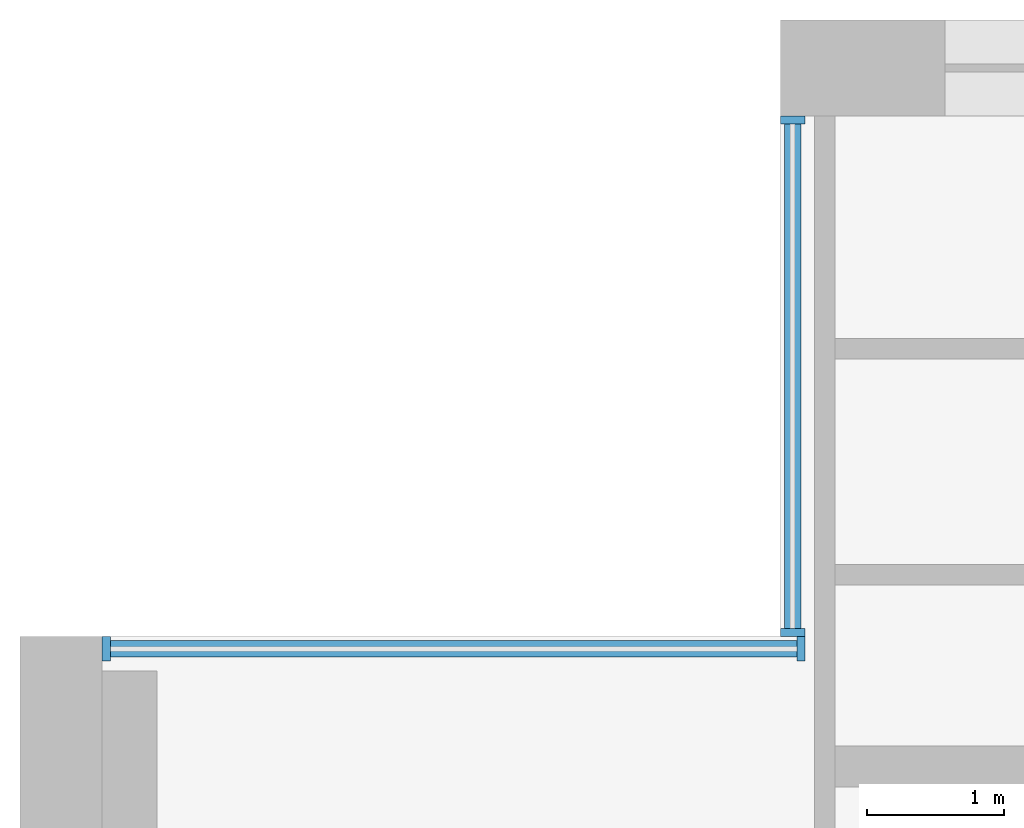
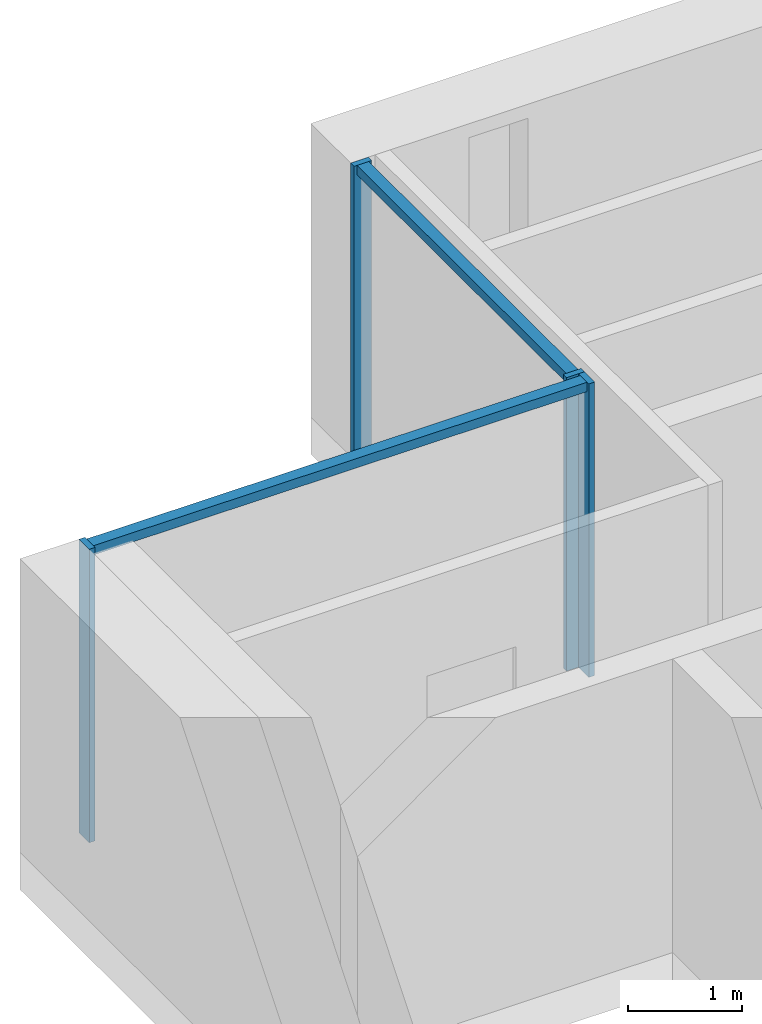
# One storey, part 4 of 16: 6 members, 2 elements without a shape of their own.
"""IFC4 building model written with IfcOpenShell, lengths in metres."""

import ifcopenshell
import ifcopenshell.guid

model = None  # the IFC model being written
_history = None  # IfcOwnerHistory: only IFC2X3 demands one
_inside = {}  # id of a spatial element -> (the spatial element, [elements in it])
_under = {}  # id of a project, library or spatial element -> (it, [spatial elements below it])
_declared = {}  # id of a project -> (the project, [libraries it declares])
_typed = {}  # id of a type object -> (the type object, [elements of that type])
_made_of = {}  # id of a material, layer set ... -> (it, [elements and type objects made of it])


def new_model(schema):
    """Start an empty IFC model of exactly this schema.

    Asked for "IFC4X3", IfcOpenShell would pick the latest addendum, in which some entities
    have other attributes; the version numbers below select the first issue.
    IFC2X3 requires an IfcOwnerHistory on every rooted entity: one is made here for all.
    """
    global model, _history
    if schema == "IFC4X3":
        model = ifcopenshell.file(schema_version=(4, 3, 0, 0))
    else:
        model = ifcopenshell.file(schema=schema)
    _inside.clear()
    _under.clear()
    _declared.clear()
    _typed.clear()
    _made_of.clear()
    _history = None
    if model.schema == "IFC2X3":
        org = make("IfcOrganization", Name="unknown")
        user = make(
            "IfcPersonAndOrganization",
            ThePerson=make("IfcPerson", FamilyName="unknown"),
            TheOrganization=org,
        )
        app = make(
            "IfcApplication",
            ApplicationDeveloper=org,
            Version="unknown",
            ApplicationFullName="unknown",
            ApplicationIdentifier="unknown",
        )
        _history = make(
            "IfcOwnerHistory",
            OwningUser=user,
            OwningApplication=app,
            ChangeAction="ADDED",
            CreationDate=0,
        )
    return model


def make(cls, **values):
    """One entity of the class cls with the attributes given. An attribute that is None is left unset."""
    return model.create_entity(
        cls, **{name: value for name, value in values.items() if value is not None}
    )


def rooted(cls, **values):
    """An entity with a GlobalId (a new one), such as an element, a storey or a relation."""
    return make(cls, GlobalId=ifcopenshell.guid.new(), OwnerHistory=_history, **values)


def si_unit(unit_type, name, prefix=None):
    """IfcSIUnit, for example si_unit("LENGTHUNIT", "METRE", prefix="MILLI")."""
    return make("IfcSIUnit", UnitType=unit_type, Prefix=prefix, Name=name)


def assignment(units):
    """IfcUnitAssignment: the units of a project."""
    return None if units is None else make("IfcUnitAssignment", Units=units)


def point(xyz):
    """IfcCartesianPoint."""
    return None if xyz is None else make("IfcCartesianPoint", Coordinates=xyz)


def direction(xyz):
    """IfcDirection."""
    return None if xyz is None else make("IfcDirection", DirectionRatios=xyz)


def frame(location, z_axis=None, x_axis=None):
    """IfcAxis2Placement3D, a coordinate frame: its origin and axes. An axis left out is left unset."""
    return make(
        "IfcAxis2Placement3D",
        Location=point(location),
        Axis=direction(z_axis),
        RefDirection=direction(x_axis),
    )


def frame_2d(location, x_axis=None):
    """IfcAxis2Placement2D, a coordinate frame in the plane: its origin and x axis."""
    return make(
        "IfcAxis2Placement2D", Location=point(location), RefDirection=direction(x_axis)
    )


def origin():
    """The frame at (0, 0, 0) with its axes left unset."""
    return frame((0.0, 0.0, 0.0))


def origin_2d():
    """The frame at (0, 0) in the plane with its x axis left unset."""
    return frame_2d((0.0, 0.0))


def place(relative_to, where):
    """IfcLocalPlacement: puts the frame where relative to a parent placement (None: the world)."""
    return make(
        "IfcLocalPlacement", PlacementRelTo=relative_to, RelativePlacement=where
    )


def context(
    kind, dimensions, precision=None, world=None, true_north=None, identifier=None
):
    """IfcGeometricRepresentationContext, for example the 3D "Model" context."""
    return make(
        "IfcGeometricRepresentationContext",
        ContextIdentifier=identifier,
        ContextType=kind,
        CoordinateSpaceDimension=dimensions,
        Precision=precision,
        WorldCoordinateSystem=world,
        TrueNorth=true_north,
    )


def subcontext(parent, identifier, kind, view, scale=None):
    """IfcGeometricRepresentationSubContext, for example "Body" below "Model"."""
    return make(
        "IfcGeometricRepresentationSubContext",
        ContextIdentifier=identifier,
        ContextType=kind,
        ParentContext=parent,
        TargetScale=scale,
        TargetView=view,
    )


def project(units=None, contexts=None):
    """IfcProject with its units and contexts."""
    return rooted(
        "IfcProject",
        Name="project",
        RepresentationContexts=contexts,
        UnitsInContext=assignment(units),
    )


def spatial(cls, under=None, at=None, **own):
    """A site, building, storey or space (cls), placed at a placement, below another one or the project."""
    s = rooted(cls, ObjectPlacement=at, **own)
    if under is not None:
        _under.setdefault(under.id(), (under, []))[1].append(s)
    return s


def profile(cls, at=None, kind="AREA", **sizes):
    """A parametric profile (cls). Its sizes go by their IFC names, for example OverallWidth=200.0."""
    return make(cls, ProfileType=kind, Position=at, **sizes)


def rectangle(**sizes):
    """IfcRectangleProfileDef."""
    return profile("IfcRectangleProfileDef", **sizes)


def extrude(swept, where, along, depth):
    """IfcExtrudedAreaSolid: the profile swept, set in the frame where, extruded along a direction by depth."""
    return make(
        "IfcExtrudedAreaSolid",
        SweptArea=swept,
        Position=where,
        ExtrudedDirection=direction(along),
        Depth=depth,
    )


def shape(context_of_items, identifier, shape_type, items):
    """IfcShapeRepresentation: the items that make up one representation, for example the "Body"."""
    return make(
        "IfcShapeRepresentation",
        ContextOfItems=context_of_items,
        RepresentationIdentifier=identifier,
        RepresentationType=shape_type,
        Items=items,
    )


def material(Name=None, Category=None):
    """IfcMaterial."""
    return make("IfcMaterial", Name=Name, Category=Category)


def material_profile(
    of_material, cross_section, Name=None, Category=None, Priority=None
):
    """IfcMaterialProfile: a cross section and its material."""
    return make(
        "IfcMaterialProfile",
        Name=Name,
        Material=of_material,
        Profile=cross_section,
        Priority=Priority,
        Category=Category,
    )


def profile_set(profiles, Name=None, composite=None):
    """IfcMaterialProfileSet."""
    return make(
        "IfcMaterialProfileSet",
        Name=Name,
        MaterialProfiles=profiles,
        CompositeProfile=composite,
    )


def made_of(thing, what):
    """Note that an element or type object is made of a material, layer set ...; save() writes the relation."""
    if what is not None:
        _made_of.setdefault(what.id(), (what, []))[1].append(thing)
    return thing


def type_object(cls, material=None, **own):
    """A type object (cls), such as IfcWallType, which elements share."""
    return made_of(rooted(cls, **own), material)


def element(
    cls,
    number,
    at=None,
    inside=None,
    cuts=None,
    type_object=None,
    material=None,
    context=None,
    identifier="Body",
    shape_type=None,
    held_by="IfcProductDefinitionShape",
    body=None,
    shapes=None,
    **own,
):
    """One element of the class cls, such as IfcWall. Its Tag is "e" and its number.

    at: its placement. inside: the storey or other place that contains it. cuts: it is an
    opening in that element (IfcRelVoidsElement). A single representation is given by context,
    identifier, shape_type and body (its items); several are given by shapes. held_by: the class
    of the entity that holds the representations. save() writes the other relations.
    """
    e = rooted(cls, Tag="e%d" % number, ObjectPlacement=at, **own)
    if body is not None:
        shapes = [shape(context, identifier, shape_type, body)]
    if shapes is not None:
        e.Representation = make(held_by, Representations=shapes)
    if inside is not None:
        _inside.setdefault(inside.id(), (inside, []))[1].append(e)
    if cuts is not None:
        rooted(
            "IfcRelVoidsElement", RelatingBuildingElement=cuts, RelatedOpeningElement=e
        )
    if type_object is not None:
        _typed.setdefault(type_object.id(), (type_object, []))[1].append(e)
    return made_of(e, material)


def aggregate(whole, parts):
    """IfcRelAggregates: a whole, such as a stair, and the parts it consists of."""
    return rooted("IfcRelAggregates", RelatingObject=whole, RelatedObjects=parts)


def save(model, path):
    """Write the relations noted so far, then the file.

    IfcRelAggregates (storeys below a building ...), IfcRelContainedInSpatialStructure (elements
    in a storey), IfcRelDefinesByType, IfcRelAssociatesMaterial and IfcRelDeclares: one each for
    every whole, place, type object, material and project.
    """
    for whole, parts in _under.values():
        aggregate(whole, parts)
    for where, things in _inside.values():
        rooted(
            "IfcRelContainedInSpatialStructure",
            RelatedElements=things,
            RelatingStructure=where,
        )
    for kind, things in _typed.values():
        rooted("IfcRelDefinesByType", RelatedObjects=things, RelatingType=kind)
    for what, things in _made_of.values():
        rooted("IfcRelAssociatesMaterial", RelatedObjects=things, RelatingMaterial=what)
    for by, libraries in _declared.values():
        rooted("IfcRelDeclares", RelatingContext=by, RelatedDefinitions=libraries)
    model.write(path)


model = new_model("IFC4")

# Units and contexts
model_context = context("Model", 3, precision=1e-05, world=origin(), true_north=direction((0.0, 1.0)))
body_context = subcontext(model_context, "Body", "Model", "MODEL_VIEW")
ifc_project = project(units=[si_unit("LENGTHUNIT", "METRE"), si_unit("AREAUNIT", "SQUARE_METRE"), si_unit("VOLUMEUNIT", "CUBIC_METRE"), si_unit("PLANEANGLEUNIT", "RADIAN"), si_unit("MASSUNIT", "GRAM", prefix="KILO")], contexts=[model_context])

# Site, building, storey
site_placement = place(None, origin())
site = spatial("IfcSite", under=ifc_project, at=site_placement, CompositionType="ELEMENT")
building_placement = place(site_placement, origin())
building = spatial("IfcBuilding", under=site, at=building_placement, Name="Calvaro Tower", CompositionType="ELEMENT")
storey_placement = place(building_placement, frame((0.0, 0.0, 223.0)))
storey = spatial("IfcBuildingStorey", under=building, at=storey_placement, Name="L56", CompositionType="ELEMENT", Elevation=223.0)

# Curtain wall, members
ifc_material_1 = material(Name="Anodised aluminium", Category="aluminium")
curtain_wall_type = type_object("IfcCurtainWallType", Name="Office curtain wall, upper zone", PredefinedType="NOTDEFINED", material=ifc_material_1)
curtain_wall_1_placement = place(storey_placement, origin())
curtain_wall_1 = element("IfcCurtainWall", 1, at=curtain_wall_1_placement, inside=storey, type_object=curtain_wall_type, Name="CW3 corner curtain wall", PredefinedType="NOTDEFINED")
ifc_material_2 = material(Name="Anodised aluminium", Category="aluminium")
ifc_material_profile_1 = material_profile(ifc_material_2, rectangle(XDim=0.179931640625, YDim=0.06005859375, at=origin_2d()), Name="Mullion S3 60 x 180")
ifc_profile_set_1 = profile_set([ifc_material_profile_1], Name="Anodised aluminium")
member_type_1 = type_object("IfcMemberType", Name="Mullion S3 60 x 180", PredefinedType="MULLION", material=ifc_profile_set_1)
member_1_placement = place(storey_placement, frame((11.639892578125, 41.530029296875, 0.0), z_axis=(0.0, 0.0, 1.0), x_axis=(-1.0, 0.0, 0.0)))
member_1 = element("IfcMember", 2, at=member_1_placement, type_object=member_type_1, Name="CW3 mullion 1", PredefinedType="MULLION", context=body_context, shape_type="SweptSolid", body=[
    extrude(rectangle(XDim=0.179931640625, YDim=0.06005859375, at=origin_2d()), origin(), (0.0, 0.0, 1.0), 3.14990234375),
])
member_2_placement = place(storey_placement, frame((11.639892578125, 45.27001953125, 0.0), z_axis=(0.0, 0.0, 1.0), x_axis=(-1.0, 0.0, 0.0)))
member_2 = element("IfcMember", 3, at=member_2_placement, type_object=member_type_1, Name="CW3 mullion 2", PredefinedType="MULLION", context=body_context, shape_type="SweptSolid", body=[
    extrude(rectangle(XDim=0.179931640625, YDim=0.06005859375, at=origin_2d()), origin(), (0.0, 0.0, 1.0), 3.14990234375),
])

curtain_wall_2_placement = place(storey_placement, origin())
curtain_wall_2 = element("IfcCurtainWall", 4, at=curtain_wall_2_placement, inside=storey, type_object=curtain_wall_type, Name="CW3 corner curtain wall", PredefinedType="NOTDEFINED")
member_3_placement = place(storey_placement, frame((6.6298828125, 41.409912109375, 0.0), z_axis=(0.0, 0.0, 1.0), x_axis=(0.0, 1.0, 0.0)))
member_3 = element("IfcMember", 5, at=member_3_placement, type_object=member_type_1, Name="CW3 mullion 1", PredefinedType="MULLION", context=body_context, shape_type="SweptSolid", body=[
    extrude(rectangle(XDim=0.179931640625, YDim=0.06005859375, at=origin_2d()), origin(), (0.0, 0.0, 1.0), 3.14990234375),
])
member_4_placement = place(storey_placement, frame((11.699951171875, 41.409912109375, 0.0), z_axis=(0.0, 0.0, 1.0), x_axis=(0.0, 1.0, 0.0)))
member_4 = element("IfcMember", 6, at=member_4_placement, type_object=member_type_1, Name="CW3 mullion 2", PredefinedType="MULLION", context=body_context, shape_type="SweptSolid", body=[
    extrude(rectangle(XDim=0.179931640625, YDim=0.06005859375, at=origin_2d()), origin(), (0.0, 0.0, 1.0), 3.14990234375),
])

# Member
ifc_material_3 = material(Name="Anodised aluminium", Category="aluminium")
ifc_material_profile_2 = material_profile(ifc_material_3, rectangle(XDim=0.1201171875, YDim=0.10009765625, at=origin_2d()), Name="Transom S3 100 x 120")
ifc_profile_set_2 = profile_set([ifc_material_profile_2], Name="Anodised aluminium")
member_type_2 = type_object("IfcMemberType", Name="Transom S3 100 x 120", PredefinedType="USERDEFINED", material=ifc_profile_set_2)
member_5_placement = place(storey_placement, frame((11.639892578125, 41.56005859375, 3.10009765625), z_axis=(0.0, 1.0, 0.0), x_axis=(-1.0, 0.0, 0.0)))
member_5 = element("IfcMember", 7, at=member_5_placement, type_object=member_type_2, Name="CW3 transom 1.1", ObjectType="TRANSOM", PredefinedType="USERDEFINED", context=body_context, shape_type="SweptSolid", body=[
    extrude(rectangle(XDim=0.1201171875, YDim=0.10009765625, at=origin_2d()), origin(), (0.0, 0.0, 1.0), 3.679931640625),
])

aggregate(curtain_wall_1, [member_1, member_2, member_5])

member_6_placement = place(storey_placement, frame((6.659912109375, 41.409912109375, 3.10009765625), z_axis=(1.0, 0.0, 0.0), x_axis=(0.0, 1.0, 0.0)))
member_6 = element("IfcMember", 8, at=member_6_placement, type_object=member_type_2, Name="CW3 transom 1.1", ObjectType="TRANSOM", PredefinedType="USERDEFINED", context=body_context, shape_type="SweptSolid", body=[
    extrude(rectangle(XDim=0.1201171875, YDim=0.10009765625, at=origin_2d()), origin(), (0.0, 0.0, 1.0), 5.010009765625),
])

aggregate(curtain_wall_2, [member_3, member_4, member_6])

save(model, "model.ifc")
